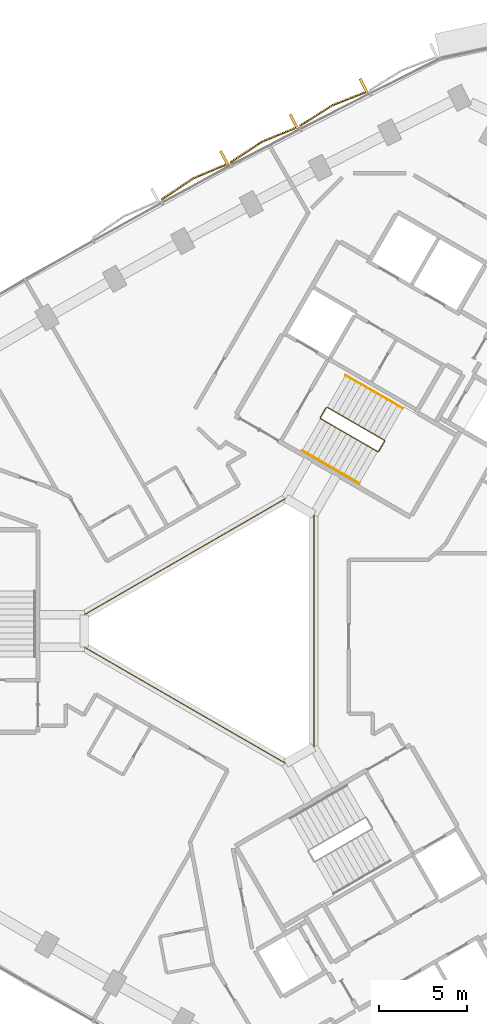
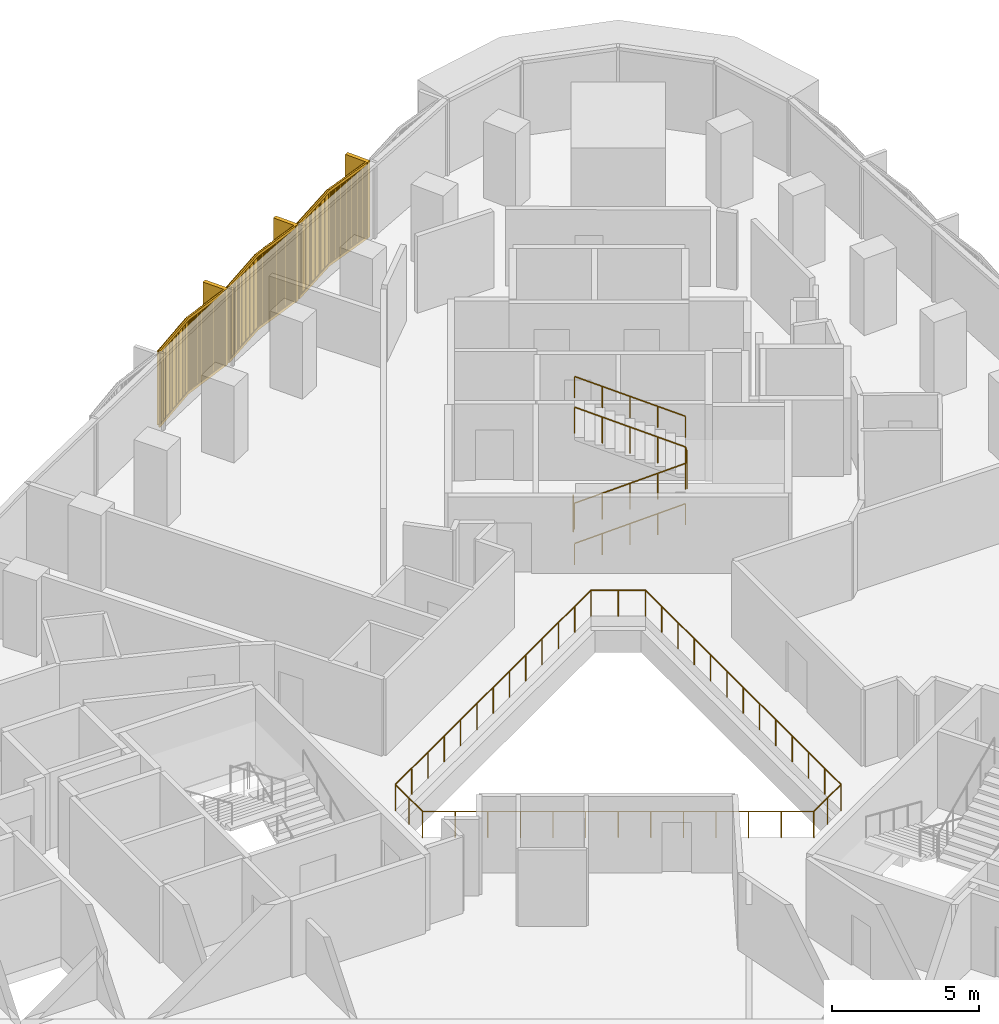
# One storey, part 14 of 15: 4 railings, 3 coverings.
"""IFC4 building model written with IfcOpenShell, lengths in metres."""

from ifc_helpers import new_model, si_unit, direction, frame, frame_2d, origin, origin_2d, place, context, subcontext, project, spatial, rectangle, circle, extrude, source, transform, mapped, material, type_object, element, save


model = new_model("IFC4")

# Units and contexts
model_context = context("Model", 3, precision=1e-05, world=origin(), true_north=direction((0.0, 1.0)))
body_context = subcontext(model_context, "Body", "Model", "MODEL_VIEW")
ifc_project = project(units=[si_unit("LENGTHUNIT", "METRE"), si_unit("AREAUNIT", "SQUARE_METRE"), si_unit("VOLUMEUNIT", "CUBIC_METRE"), si_unit("PLANEANGLEUNIT", "RADIAN"), si_unit("MASSUNIT", "GRAM", prefix="KILO")], contexts=[model_context])

# Site, building, storey
site_placement = place(None, origin())
site = spatial("IfcSite", under=ifc_project, at=site_placement, CompositionType="ELEMENT")
building_placement = place(site_placement, origin())
building = spatial("IfcBuilding", under=site, at=building_placement, Name="Tamra Quay Hotel Tower", CompositionType="ELEMENT")
storey_placement = place(building_placement, frame((0.0, 0.0, 108.199951171875)))
storey = spatial("IfcBuildingStorey", under=building, at=storey_placement, Name="L26", CompositionType="ELEMENT", Elevation=108.199951171875)

# Railings
ifc_material_1 = material(Name="Guard atrium edge 1100")
railing_type_1 = type_object("IfcRailingType", Name="Guard atrium edge 1100", PredefinedType="GUARDRAIL", material=ifc_material_1)
railing_1_placement = place(storey_placement, frame((4.89990234375, -6.639892578125, 0.0)))
element("IfcRailing", 1, at=railing_1_placement, inside=storey, type_object=railing_type_1, Name="G-A", PredefinedType="GUARDRAIL", context=body_context, shape_type="SweptSolid", body=[
    extrude(circle(Radius=0.02392578125, at=origin_2d()), frame((0.0, 0.0, 1.076171875), z_axis=(-0.866161379324, -0.499764409465, 0.0), x_axis=(0.499764409465, -0.866161379324, 0.0)), (0.0, 0.0, 1.0), 1.84716796875),
    extrude(circle(Radius=0.02392578125, at=origin_2d()), frame((-1.599853515625, -0.923095703125, 1.076171875), z_axis=(-0.866045362687, 0.499965428574, 0.0), x_axis=(-0.499965428574, -0.866045362687, 0.0)), (0.0, 0.0, 1.0), 13.27880859375),
    extrude(circle(Radius=0.02392578125, at=origin_2d()), frame((-13.099853515625, 5.7158203125, 1.076171875), z_axis=(0.0, 1.0, 0.0), x_axis=(-1.0, 0.0, 0.0)), (0.0, 0.0, 1.0), 1.84814453125),
    extrude(circle(Radius=0.02392578125, at=origin_2d()), frame((-13.099853515625, 7.56396484375, 1.076171875), z_axis=(0.866045362687, 0.499965428574, 0.0), x_axis=(-0.499965428574, 0.866045362687, 0.0)), (0.0, 0.0, 1.0), 13.27880859375),
    extrude(circle(Radius=0.02392578125, at=origin_2d()), frame((-1.599853515625, 14.202880859375, 1.076171875), z_axis=(0.866161379324, -0.499764409465, 0.0), x_axis=(0.499764409465, 0.866161379324, 0.0)), (0.0, 0.0, 1.0), 1.84716796875),
    extrude(circle(Radius=0.02392578125, at=origin_2d()), frame((0.0, 13.27978515625, 1.076171875), z_axis=(0.0, -1.0, 0.0), x_axis=(1.0, 0.0, 0.0)), (0.0, 0.0, 1.0), 13.27978515625),
    extrude(circle(Radius=0.02099609375, at=origin_2d()), origin(), (0.0, 0.0, 1.0), 1.052001953125),
    extrude(circle(Radius=0.02099609375, at=origin_2d()), frame((-0.7998046875, -0.46142578125, 0.0)), (0.0, 0.0, 1.0), 1.052001953125),
    extrude(circle(Radius=0.02099609375, at=origin_2d()), frame((-1.599853515625, -0.923095703125, 0.0)), (0.0, 0.0, 1.0), 1.052001953125),
    extrude(circle(Radius=0.02099609375, at=origin_2d()), frame((-2.55810546875, -0.369873046875, 0.0)), (0.0, 0.0, 1.0), 1.052001953125),
    extrude(circle(Radius=0.02099609375, at=origin_2d()), frame((-3.5166015625, 0.183349609375, 0.0)), (0.0, 0.0, 1.0), 1.052001953125),
    extrude(circle(Radius=0.02099609375, at=origin_2d()), frame((-4.474853515625, 0.736572265625, 0.0)), (0.0, 0.0, 1.0), 1.052001953125),
    extrude(circle(Radius=0.02099609375, at=origin_2d()), frame((-5.43310546875, 1.289794921875, 0.0)), (0.0, 0.0, 1.0), 1.052001953125),
    extrude(circle(Radius=0.02099609375, at=origin_2d()), frame((-6.3916015625, 1.843017578125, 0.0)), (0.0, 0.0, 1.0), 1.052001953125),
    extrude(circle(Radius=0.02099609375, at=origin_2d()), frame((-7.349853515625, 2.396484375, 0.0)), (0.0, 0.0, 1.0), 1.052001953125),
    extrude(circle(Radius=0.02099609375, at=origin_2d()), frame((-8.30810546875, 2.94970703125, 0.0)), (0.0, 0.0, 1.0), 1.052001953125),
    extrude(circle(Radius=0.02099609375, at=origin_2d()), frame((-9.2666015625, 3.5029296875, 0.0)), (0.0, 0.0, 1.0), 1.052001953125),
    extrude(circle(Radius=0.02099609375, at=origin_2d()), frame((-10.224853515625, 4.05615234375, 0.0)), (0.0, 0.0, 1.0), 1.052001953125),
    extrude(circle(Radius=0.02099609375, at=origin_2d()), frame((-11.18310546875, 4.609375, 0.0)), (0.0, 0.0, 1.0), 1.052001953125),
    extrude(circle(Radius=0.02099609375, at=origin_2d()), frame((-12.1416015625, 5.16259765625, 0.0)), (0.0, 0.0, 1.0), 1.052001953125),
    extrude(circle(Radius=0.02099609375, at=origin_2d()), frame((-13.099853515625, 5.7158203125, 0.0)), (0.0, 0.0, 1.0), 1.052001953125),
    extrude(circle(Radius=0.02099609375, at=origin_2d()), frame((-13.099853515625, 6.639892578125, 0.0)), (0.0, 0.0, 1.0), 1.052001953125),
    extrude(circle(Radius=0.02099609375, at=origin_2d()), frame((-13.099853515625, 7.56396484375, 0.0)), (0.0, 0.0, 1.0), 1.052001953125),
    extrude(circle(Radius=0.02099609375, at=origin_2d()), frame((-12.1416015625, 8.1171875, 0.0)), (0.0, 0.0, 1.0), 1.052001953125),
    extrude(circle(Radius=0.02099609375, at=origin_2d()), frame((-11.18310546875, 8.67041015625, 0.0)), (0.0, 0.0, 1.0), 1.052001953125),
    extrude(circle(Radius=0.02099609375, at=origin_2d()), frame((-10.224853515625, 9.2236328125, 0.0)), (0.0, 0.0, 1.0), 1.052001953125),
    extrude(circle(Radius=0.02099609375, at=origin_2d()), frame((-9.2666015625, 9.77685546875, 0.0)), (0.0, 0.0, 1.0), 1.052001953125),
    extrude(circle(Radius=0.02099609375, at=origin_2d()), frame((-8.30810546875, 10.330078125, 0.0)), (0.0, 0.0, 1.0), 1.052001953125),
    extrude(circle(Radius=0.02099609375, at=origin_2d()), frame((-7.349853515625, 10.88330078125, 0.0)), (0.0, 0.0, 1.0), 1.052001953125),
    extrude(circle(Radius=0.02099609375, at=origin_2d()), frame((-6.3916015625, 11.436767578125, 0.0)), (0.0, 0.0, 1.0), 1.052001953125),
    extrude(circle(Radius=0.02099609375, at=origin_2d()), frame((-5.43310546875, 11.989990234375, 0.0)), (0.0, 0.0, 1.0), 1.052001953125),
    extrude(circle(Radius=0.02099609375, at=origin_2d()), frame((-4.474853515625, 12.543212890625, 0.0)), (0.0, 0.0, 1.0), 1.052001953125),
    extrude(circle(Radius=0.02099609375, at=origin_2d()), frame((-3.5166015625, 13.096435546875, 0.0)), (0.0, 0.0, 1.0), 1.052001953125),
    extrude(circle(Radius=0.02099609375, at=origin_2d()), frame((-2.55810546875, 13.649658203125, 0.0)), (0.0, 0.0, 1.0), 1.052001953125),
    extrude(circle(Radius=0.02099609375, at=origin_2d()), frame((-1.599853515625, 14.202880859375, 0.0)), (0.0, 0.0, 1.0), 1.052001953125),
    extrude(circle(Radius=0.02099609375, at=origin_2d()), frame((-0.7998046875, 13.7412109375, 0.0)), (0.0, 0.0, 1.0), 1.052001953125),
    extrude(circle(Radius=0.02099609375, at=origin_2d()), frame((0.0, 13.27978515625, 0.0)), (0.0, 0.0, 1.0), 1.052001953125),
    extrude(circle(Radius=0.02099609375, at=origin_2d()), frame((0.0, 12.173095703125, 0.0)), (0.0, 0.0, 1.0), 1.052001953125),
    extrude(circle(Radius=0.02099609375, at=origin_2d()), frame((0.0, 11.06640625, 0.0)), (0.0, 0.0, 1.0), 1.052001953125),
    extrude(circle(Radius=0.02099609375, at=origin_2d()), frame((0.0, 9.9599609375, 0.0)), (0.0, 0.0, 1.0), 1.052001953125),
    extrude(circle(Radius=0.02099609375, at=origin_2d()), frame((0.0, 8.853271484375, 0.0)), (0.0, 0.0, 1.0), 1.052001953125),
    extrude(circle(Radius=0.02099609375, at=origin_2d()), frame((0.0, 7.74658203125, 0.0)), (0.0, 0.0, 1.0), 1.052001953125),
    extrude(circle(Radius=0.02099609375, at=origin_2d()), frame((0.0, 6.639892578125, 0.0)), (0.0, 0.0, 1.0), 1.052001953125),
    extrude(circle(Radius=0.02099609375, at=origin_2d()), frame((0.0, 5.533203125, 0.0)), (0.0, 0.0, 1.0), 1.052001953125),
    extrude(circle(Radius=0.02099609375, at=origin_2d()), frame((0.0, 4.426513671875, 0.0)), (0.0, 0.0, 1.0), 1.052001953125),
    extrude(circle(Radius=0.02099609375, at=origin_2d()), frame((0.0, 3.31982421875, 0.0)), (0.0, 0.0, 1.0), 1.052001953125),
    extrude(circle(Radius=0.02099609375, at=origin_2d()), frame((0.0, 2.21337890625, 0.0)), (0.0, 0.0, 1.0), 1.052001953125),
    extrude(circle(Radius=0.02099609375, at=origin_2d()), frame((0.0, 1.106689453125, 0.0)), (0.0, 0.0, 1.0), 1.052001953125),
])
ifc_material_2 = material(Name="Stair guard 1100")
railing_type_2 = type_object("IfcRailingType", Name="Stair guard 1100", PredefinedType="GUARDRAIL", material=ifc_material_2)
railing_2_placement = place(storey_placement, frame((5.595458984375, 12.751953125, 0.0)))
element("IfcRailing", 2, at=railing_2_placement, inside=storey, type_object=railing_type_2, Name="GR", PredefinedType="GUARDRAIL", context=body_context, shape_type="SweptSolid", body=[
    extrude(circle(Radius=0.02392578125, at=origin_2d()), frame((0.0, 0.0, 1.076171875), z_axis=(-0.499765215335, -0.866160914346, 0.0), x_axis=(0.866160914346, -0.499765215335, 0.0)), (0.0, 0.0, 1.0), 0.658935546875),
    extrude(circle(Radius=0.02392578125, at=origin_2d()), frame((-0.329345703125, -0.57080078125, 1.076171875), z_axis=(0.110378772244, -0.410609032747, 0.905105932399), x_axis=(0.965715946433, 0.259601060869, 0.0)), (0.0, 0.0, 1.0), 0.165771484375),
    extrude(circle(Radius=0.02392578125, at=origin_2d()), frame((-0.31103515625, -0.638916015625, 1.22607421875), z_axis=(0.793078462799, -0.457933869594, 0.401650498471), x_axis=(0.500040788363, 0.866001853331, 0.0)), (0.0, 0.0, 1.0), 4.10791015625),
    extrude(circle(Radius=0.02392578125, at=origin_2d()), frame((2.94677734375, -2.52001953125, 2.8759765625), z_axis=(0.965948051503, 0.258736085224, 0.0), x_axis=(-0.258736085224, 0.965948051503, 0.0)), (0.0, 0.0, 1.0), 0.07080078125),
    extrude(circle(Radius=0.02392578125, at=origin_2d()), frame((3.01513671875, -2.501708984375, 2.8759765625), z_axis=(0.500043078269, 0.866000531106, 0.0), x_axis=(-0.866000531106, 0.500043078269, 0.0)), (0.0, 0.0, 1.0), 0.6591796875),
    extrude(circle(Radius=0.02392578125, at=origin_2d()), frame((3.3447265625, -1.930908203125, 2.8759765625), z_axis=(-0.110525977783, 0.411156637351, 0.904839338113), x_axis=(-0.965715946433, -0.259601060869, 0.0)), (0.0, 0.0, 1.0), 0.165771484375),
    extrude(circle(Radius=0.02392578125, at=origin_2d()), frame((3.326416015625, -1.86279296875, 3.02587890625), z_axis=(-0.793081581205, 0.457901355053, 0.401681409319), x_axis=(-0.500012686397, -0.866018079166, 0.0)), (0.0, 0.0, 1.0), 4.108154296875),
    extrude(circle(Radius=0.02099609375, at=origin_2d()), origin(), (0.0, 0.0, 1.0), 1.052001953125),
    extrude(circle(Radius=0.02099609375, at=origin_2d()), frame((-0.329345703125, -0.57080078125, 0.0)), (0.0, 0.0, 1.0), 1.052001953125),
    extrude(circle(Radius=0.02099609375, at=origin_2d()), frame((-0.31103515625, -0.638916015625, 0.150146484375)), (0.0, 0.0, 1.0), 1.052001953125),
    extrude(circle(Radius=0.02099609375, at=origin_2d()), frame((0.50341796875, -1.109130859375, 0.5625)), (0.0, 0.0, 1.0), 1.052001953125),
    extrude(circle(Radius=0.02099609375, at=origin_2d()), frame((1.31787109375, -1.57958984375, 0.97509765625)), (0.0, 0.0, 1.0), 1.052001953125),
    extrude(circle(Radius=0.02099609375, at=origin_2d()), frame((2.13232421875, -2.0498046875, 1.3876953125)), (0.0, 0.0, 1.0), 1.052001953125),
    extrude(circle(Radius=0.02099609375, at=origin_2d()), frame((2.94677734375, -2.52001953125, 1.800048828125)), (0.0, 0.0, 1.0), 1.052001953125),
    extrude(circle(Radius=0.02099609375, at=origin_2d()), frame((3.01513671875, -2.501708984375, 1.800048828125)), (0.0, 0.0, 1.0), 1.052001953125),
    extrude(circle(Radius=0.02099609375, at=origin_2d()), frame((3.3447265625, -1.930908203125, 1.800048828125)), (0.0, 0.0, 1.0), 1.052001953125),
    extrude(circle(Radius=0.02099609375, at=origin_2d()), frame((3.326416015625, -1.86279296875, 1.949951171875)), (0.0, 0.0, 1.0), 1.052001953125),
    extrude(circle(Radius=0.02099609375, at=origin_2d()), frame((2.511962890625, -1.392578125, 2.362548828125)), (0.0, 0.0, 1.0), 1.052001953125),
    extrude(circle(Radius=0.02099609375, at=origin_2d()), frame((1.697265625, -0.92236328125, 2.77490234375)), (0.0, 0.0, 1.0), 1.052001953125),
    extrude(circle(Radius=0.02099609375, at=origin_2d()), frame((0.8828125, -0.451904296875, 3.1875)), (0.0, 0.0, 1.0), 1.052001953125),
    extrude(circle(Radius=0.02099609375, at=origin_2d()), frame((0.068359375, 0.018310546875, 3.60009765625)), (0.0, 0.0, 1.0), 1.052001953125),
])
ifc_material_3 = material(Name="Stair handrail 900")
railing_type_3 = type_object("IfcRailingType", Name="Stair handrail 900", PredefinedType="HANDRAIL", material=ifc_material_3)
railing_3_placement = place(storey_placement, frame((4.234375, 10.294189453125, 0.150146484375)))
element("IfcRailing", 3, at=railing_3_placement, inside=storey, type_object=railing_type_3, Name="HR", PredefinedType="HANDRAIL", context=body_context, shape_type="SweptSolid", body=[
    extrude(circle(Radius=0.02392578125, at=origin_2d()), frame((0.0, 0.0, 0.8759765625), z_axis=(0.793122095483, -0.45786531462, 0.401642496911), x_axis=(0.499964013922, 0.86604617936, 0.0)), (0.0, 0.0, 1.0), 4.10791015625),
    extrude(circle(Radius=0.02099609375, at=origin_2d()), origin(), (0.0, 0.0, 1.0), 0.851806640625),
    extrude(circle(Radius=0.02099609375, at=origin_2d()), frame((0.814453125, -0.47021484375, 0.41259765625)), (0.0, 0.0, 1.0), 0.851806640625),
    extrude(circle(Radius=0.02099609375, at=origin_2d()), frame((1.62890625, -0.9404296875, 0.824951171875)), (0.0, 0.0, 1.0), 0.851806640625),
    extrude(circle(Radius=0.02099609375, at=origin_2d()), frame((2.443603515625, -1.41064453125, 1.2373046875)), (0.0, 0.0, 1.0), 0.851806640625),
    extrude(circle(Radius=0.02099609375, at=origin_2d()), frame((3.258056640625, -1.880859375, 1.64990234375)), (0.0, 0.0, 1.0), 0.851806640625),
])
railing_4_placement = place(storey_placement, frame((9.971923828125, 12.7080078125, 1.949951171875)))
element("IfcRailing", 4, at=railing_4_placement, inside=storey, type_object=railing_type_3, Name="HR", PredefinedType="HANDRAIL", context=body_context, shape_type="SweptSolid", body=[
    extrude(circle(Radius=0.02392578125, at=origin_2d()), frame((0.0, 0.0, 0.8759765625), z_axis=(-0.793103162556, 0.457854384738, 0.401692339881), x_axis=(-0.499964013922, -0.86604617936, 0.0)), (0.0, 0.0, 1.0), 4.10791015625),
    extrude(circle(Radius=0.02099609375, at=origin_2d()), origin(), (0.0, 0.0, 1.0), 0.851806640625),
    extrude(circle(Radius=0.02099609375, at=origin_2d()), frame((-0.814453125, 0.47021484375, 0.41259765625)), (0.0, 0.0, 1.0), 0.851806640625),
    extrude(circle(Radius=0.02099609375, at=origin_2d()), frame((-1.62890625, 0.9404296875, 0.8251953125)), (0.0, 0.0, 1.0), 0.851806640625),
    extrude(circle(Radius=0.02099609375, at=origin_2d()), frame((-2.443603515625, 1.41064453125, 1.237548828125)), (0.0, 0.0, 1.0), 0.851806640625),
    extrude(circle(Radius=0.02099609375, at=origin_2d()), frame((-3.258056640625, 1.880859375, 1.650146484375)), (0.0, 0.0, 1.0), 0.851806640625),
])

# Coverings
ifc_material_4 = material(Name="Terracotta baguette extruded", Category="masonry")
covering_type = type_object("IfcCoveringType", Name="BAGUETTE SCREEN NW-V H3175", PredefinedType="USERDEFINED", material=ifc_material_4)
shared_shape = source(origin(), body_context, "Body", "SweptSolid", [
    extrude(rectangle(XDim=2.20263671875, YDim=0.06005859375, at=frame_2d((1.101318359375, 0.030029296875))), frame((-2.1982421875, -0.0576171875, -0.1201171875), z_axis=(0.0, 0.0, 1.0), x_axis=(0.995396198367, -0.09584575252, 0.0)), (0.0, 0.0, 1.0), 0.1201171875),
    extrude(rectangle(XDim=2.20263671875, YDim=0.06005859375, at=frame_2d((1.101318359375, 0.030029296875))), frame((-2.1982421875, -0.0576171875, -3.175048828125), z_axis=(0.0, 0.0, 1.0), x_axis=(0.995396198367, -0.09584575252, 0.0)), (0.0, 0.0, 1.0), 0.1201171875),
    extrude(rectangle(XDim=0.070068359375, YDim=0.10009765625, at=frame_2d((0.03515625, 0.050048828125))), frame((-2.177734375, -0.1328125, -3.114990234375)), (0.0, 0.0, 1.0), 3.054931640625),
    extrude(rectangle(XDim=0.070068359375, YDim=0.10009765625, at=frame_2d((0.03515625, 0.050048828125))), frame((-2.078125, -0.142333984375, -3.114990234375)), (0.0, 0.0, 1.0), 3.054931640625),
    extrude(rectangle(XDim=0.070068359375, YDim=0.10009765625, at=frame_2d((0.03515625, 0.050048828125))), frame((-1.978271484375, -0.152099609375, -3.114990234375)), (0.0, 0.0, 1.0), 3.054931640625),
    extrude(rectangle(XDim=0.070068359375, YDim=0.10009765625, at=frame_2d((0.03515625, 0.050048828125))), frame((-1.878662109375, -0.16162109375, -3.114990234375)), (0.0, 0.0, 1.0), 3.054931640625),
    extrude(rectangle(XDim=0.070068359375, YDim=0.10009765625, at=frame_2d((0.03515625, 0.050048828125))), frame((-1.779052734375, -0.171142578125, -3.114990234375)), (0.0, 0.0, 1.0), 3.054931640625),
    extrude(rectangle(XDim=0.070068359375, YDim=0.10009765625, at=frame_2d((0.03515625, 0.050048828125))), frame((-1.679443359375, -0.1806640625, -3.114990234375)), (0.0, 0.0, 1.0), 3.054931640625),
    extrude(rectangle(XDim=0.070068359375, YDim=0.10009765625, at=frame_2d((0.03515625, 0.050048828125))), frame((-1.579833984375, -0.1904296875, -3.114990234375)), (0.0, 0.0, 1.0), 3.054931640625),
    extrude(rectangle(XDim=0.070068359375, YDim=0.10009765625, at=frame_2d((0.03515625, 0.050048828125))), frame((-1.47998046875, -0.199951171875, -3.114990234375)), (0.0, 0.0, 1.0), 3.054931640625),
    extrude(rectangle(XDim=0.070068359375, YDim=0.10009765625, at=frame_2d((0.03515625, 0.050048828125))), frame((-1.38037109375, -0.20947265625, -3.114990234375)), (0.0, 0.0, 1.0), 3.054931640625),
    extrude(rectangle(XDim=0.070068359375, YDim=0.10009765625, at=frame_2d((0.03515625, 0.050048828125))), frame((-1.28076171875, -0.21923828125, -3.114990234375)), (0.0, 0.0, 1.0), 3.054931640625),
    extrude(rectangle(XDim=0.070068359375, YDim=0.10009765625, at=frame_2d((0.03515625, 0.050048828125))), frame((-1.18115234375, -0.228759765625, -3.114990234375)), (0.0, 0.0, 1.0), 3.054931640625),
    extrude(rectangle(XDim=0.070068359375, YDim=0.10009765625, at=frame_2d((0.03515625, 0.050048828125))), frame((-1.081298828125, -0.23828125, -3.114990234375)), (0.0, 0.0, 1.0), 3.054931640625),
    extrude(rectangle(XDim=0.070068359375, YDim=0.10009765625, at=frame_2d((0.03515625, 0.050048828125))), frame((-0.981689453125, -0.248046875, -3.114990234375)), (0.0, 0.0, 1.0), 3.054931640625),
    extrude(rectangle(XDim=0.070068359375, YDim=0.10009765625, at=frame_2d((0.03515625, 0.050048828125))), frame((-0.882080078125, -0.257568359375, -3.114990234375)), (0.0, 0.0, 1.0), 3.054931640625),
    extrude(rectangle(XDim=0.070068359375, YDim=0.10009765625, at=frame_2d((0.03515625, 0.050048828125))), frame((-0.782470703125, -0.26708984375, -3.114990234375)), (0.0, 0.0, 1.0), 3.054931640625),
    extrude(rectangle(XDim=0.070068359375, YDim=0.10009765625, at=frame_2d((0.03515625, 0.050048828125))), frame((-0.682861328125, -0.27685546875, -3.114990234375)), (0.0, 0.0, 1.0), 3.054931640625),
    extrude(rectangle(XDim=0.070068359375, YDim=0.10009765625, at=frame_2d((0.03515625, 0.050048828125))), frame((-0.583251953125, -0.286376953125, -3.114990234375)), (0.0, 0.0, 1.0), 3.054931640625),
    extrude(rectangle(XDim=0.070068359375, YDim=0.10009765625, at=frame_2d((0.03515625, 0.050048828125))), frame((-0.4833984375, -0.2958984375, -3.114990234375)), (0.0, 0.0, 1.0), 3.054931640625),
    extrude(rectangle(XDim=0.070068359375, YDim=0.10009765625, at=frame_2d((0.03515625, 0.050048828125))), frame((-0.3837890625, -0.305419921875, -3.114990234375)), (0.0, 0.0, 1.0), 3.054931640625),
    extrude(rectangle(XDim=0.070068359375, YDim=0.10009765625, at=frame_2d((0.03515625, 0.050048828125))), frame((-0.2841796875, -0.315185546875, -3.114990234375)), (0.0, 0.0, 1.0), 3.054931640625),
    extrude(rectangle(XDim=0.070068359375, YDim=0.10009765625, at=frame_2d((0.03515625, 0.050048828125))), frame((-0.1845703125, -0.32470703125, -3.114990234375)), (0.0, 0.0, 1.0), 3.054931640625),
    extrude(rectangle(XDim=0.070068359375, YDim=0.10009765625, at=frame_2d((0.03515625, 0.050048828125))), frame((-0.084716796875, -0.334228515625, -3.114990234375)), (0.0, 0.0, 1.0), 3.054931640625),
    extrude(rectangle(XDim=2.20263671875, YDim=0.06005859375, at=frame_2d((1.101318359375, 0.030029296875))), frame((0.005859375, -0.268798828125, -0.1201171875), z_axis=(0.0, 0.0, 1.0), x_axis=(0.995396198367, 0.09584575252, 0.0)), (0.0, 0.0, 1.0), 0.1201171875),
    extrude(rectangle(XDim=2.20263671875, YDim=0.06005859375, at=frame_2d((1.101318359375, 0.030029296875))), frame((0.005859375, -0.268798828125, -3.175048828125), z_axis=(0.0, 0.0, 1.0), x_axis=(0.995396198367, 0.09584575252, 0.0)), (0.0, 0.0, 1.0), 0.1201171875),
    extrude(rectangle(XDim=0.070068359375, YDim=0.10009765625, at=frame_2d((0.03515625, 0.050048828125))), frame((0.014892578125, -0.334228515625, -3.114990234375)), (0.0, 0.0, 1.0), 3.054931640625),
    extrude(rectangle(XDim=0.070068359375, YDim=0.10009765625, at=frame_2d((0.03515625, 0.050048828125))), frame((0.114501953125, -0.32470703125, -3.114990234375)), (0.0, 0.0, 1.0), 3.054931640625),
    extrude(rectangle(XDim=0.070068359375, YDim=0.10009765625, at=frame_2d((0.03515625, 0.050048828125))), frame((0.214111328125, -0.315185546875, -3.114990234375)), (0.0, 0.0, 1.0), 3.054931640625),
    extrude(rectangle(XDim=0.070068359375, YDim=0.10009765625, at=frame_2d((0.03515625, 0.050048828125))), frame((0.313720703125, -0.305419921875, -3.114990234375)), (0.0, 0.0, 1.0), 3.054931640625),
    extrude(rectangle(XDim=0.070068359375, YDim=0.10009765625, at=frame_2d((0.03515625, 0.050048828125))), frame((0.41357421875, -0.2958984375, -3.114990234375)), (0.0, 0.0, 1.0), 3.054931640625),
    extrude(rectangle(XDim=0.070068359375, YDim=0.10009765625, at=frame_2d((0.03515625, 0.050048828125))), frame((0.51318359375, -0.286376953125, -3.114990234375)), (0.0, 0.0, 1.0), 3.054931640625),
    extrude(rectangle(XDim=0.070068359375, YDim=0.10009765625, at=frame_2d((0.03515625, 0.050048828125))), frame((0.61279296875, -0.27685546875, -3.114990234375)), (0.0, 0.0, 1.0), 3.054931640625),
    extrude(rectangle(XDim=0.070068359375, YDim=0.10009765625, at=frame_2d((0.03515625, 0.050048828125))), frame((0.71240234375, -0.26708984375, -3.114990234375)), (0.0, 0.0, 1.0), 3.054931640625),
    extrude(rectangle(XDim=0.070068359375, YDim=0.10009765625, at=frame_2d((0.03515625, 0.050048828125))), frame((0.81201171875, -0.257568359375, -3.114990234375)), (0.0, 0.0, 1.0), 3.054931640625),
    extrude(rectangle(XDim=0.070068359375, YDim=0.10009765625, at=frame_2d((0.03515625, 0.050048828125))), frame((0.911865234375, -0.248046875, -3.114990234375)), (0.0, 0.0, 1.0), 3.054931640625),
    extrude(rectangle(XDim=0.070068359375, YDim=0.10009765625, at=frame_2d((0.03515625, 0.050048828125))), frame((1.011474609375, -0.23828125, -3.114990234375)), (0.0, 0.0, 1.0), 3.054931640625),
    extrude(rectangle(XDim=0.070068359375, YDim=0.10009765625, at=frame_2d((0.03515625, 0.050048828125))), frame((1.111083984375, -0.228759765625, -3.114990234375)), (0.0, 0.0, 1.0), 3.054931640625),
    extrude(rectangle(XDim=0.070068359375, YDim=0.10009765625, at=frame_2d((0.03515625, 0.050048828125))), frame((1.210693359375, -0.21923828125, -3.114990234375)), (0.0, 0.0, 1.0), 3.054931640625),
    extrude(rectangle(XDim=0.070068359375, YDim=0.10009765625, at=frame_2d((0.03515625, 0.050048828125))), frame((1.310302734375, -0.20947265625, -3.114990234375)), (0.0, 0.0, 1.0), 3.054931640625),
    extrude(rectangle(XDim=0.070068359375, YDim=0.10009765625, at=frame_2d((0.03515625, 0.050048828125))), frame((1.41015625, -0.199951171875, -3.114990234375)), (0.0, 0.0, 1.0), 3.054931640625),
    extrude(rectangle(XDim=0.070068359375, YDim=0.10009765625, at=frame_2d((0.03515625, 0.050048828125))), frame((1.509765625, -0.1904296875, -3.114990234375)), (0.0, 0.0, 1.0), 3.054931640625),
    extrude(rectangle(XDim=0.070068359375, YDim=0.10009765625, at=frame_2d((0.03515625, 0.050048828125))), frame((1.609375, -0.1806640625, -3.114990234375)), (0.0, 0.0, 1.0), 3.054931640625),
    extrude(rectangle(XDim=0.070068359375, YDim=0.10009765625, at=frame_2d((0.03515625, 0.050048828125))), frame((1.708984375, -0.171142578125, -3.114990234375)), (0.0, 0.0, 1.0), 3.054931640625),
    extrude(rectangle(XDim=0.070068359375, YDim=0.10009765625, at=frame_2d((0.03515625, 0.050048828125))), frame((1.80859375, -0.16162109375, -3.114990234375)), (0.0, 0.0, 1.0), 3.054931640625),
    extrude(rectangle(XDim=0.070068359375, YDim=0.10009765625, at=frame_2d((0.03515625, 0.050048828125))), frame((1.908447265625, -0.152099609375, -3.114990234375)), (0.0, 0.0, 1.0), 3.054931640625),
    extrude(rectangle(XDim=0.070068359375, YDim=0.10009765625, at=frame_2d((0.03515625, 0.050048828125))), frame((2.008056640625, -0.142333984375, -3.114990234375)), (0.0, 0.0, 1.0), 3.054931640625),
    extrude(rectangle(XDim=0.070068359375, YDim=0.10009765625, at=frame_2d((0.03515625, 0.050048828125))), frame((2.107666015625, -0.1328125, -3.114990234375)), (0.0, 0.0, 1.0), 3.054931640625),
    extrude(rectangle(XDim=0.14990234375, YDim=0.902099609375, at=frame_2d((0.074951171875, 0.451171875))), frame((-2.1923828125, -0.89990234375, -3.175048828125)), (0.0, 0.0, 1.0), 3.175048828125),
])
for number, where, z_axis, x_axis, name in (
    (5, (6.06494140625, 29.7470703125, 3.175048828125), (0.0, 0.0, 1.0), (-0.890544543472, -0.454896049765, 0.0), "Baguette screen L26.NW.f01"),
    (6, (2.092041015625, 27.689208984375, 3.175048828125), (0.0, 0.0, 1.0), (-0.885306192952, -0.465008542631, 0.0), "Baguette screen L26.NW.f02"),
    (7, (-1.857177734375, 25.5859375, 3.175048828125), (0.0, 0.0, 1.0), (-0.879945635118, -0.475074393371, 0.0), "Baguette screen L26.NW.f03"),
):
    element("IfcCovering", number, at=place(storey_placement, frame(where, z_axis=z_axis, x_axis=x_axis)), inside=storey, type_object=covering_type, Name=name, ObjectType="BAGUETTE SCREEN", PredefinedType="USERDEFINED", context=body_context, shape_type="MappedRepresentation", body=[
        mapped(shared_shape, transform((0.0, 0.0, 0.0), scale=1.0)),
    ])

save(model, "model.ifc")
